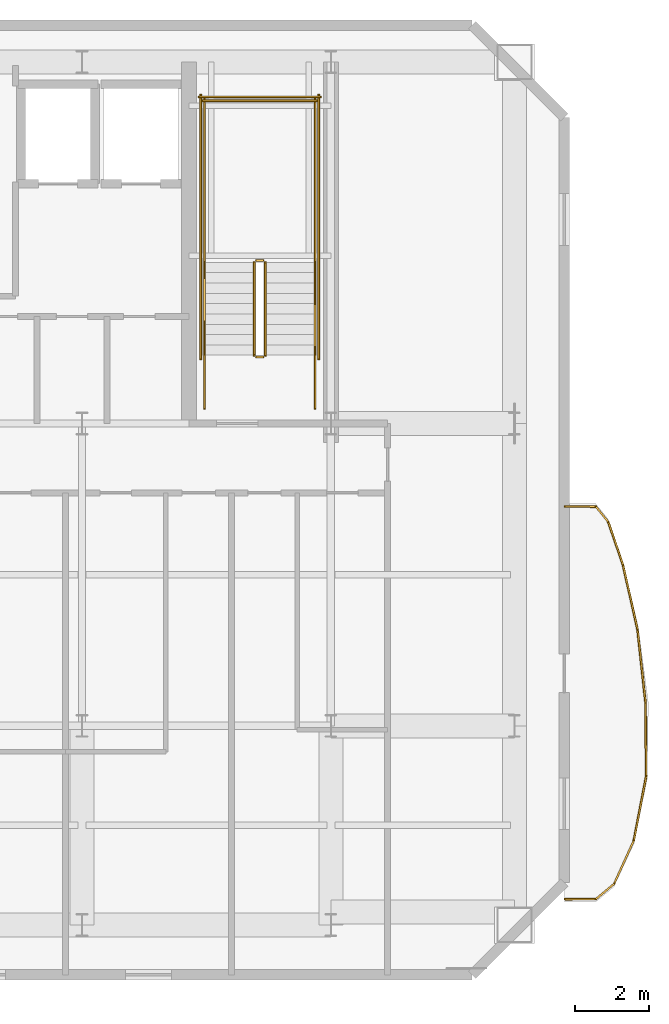
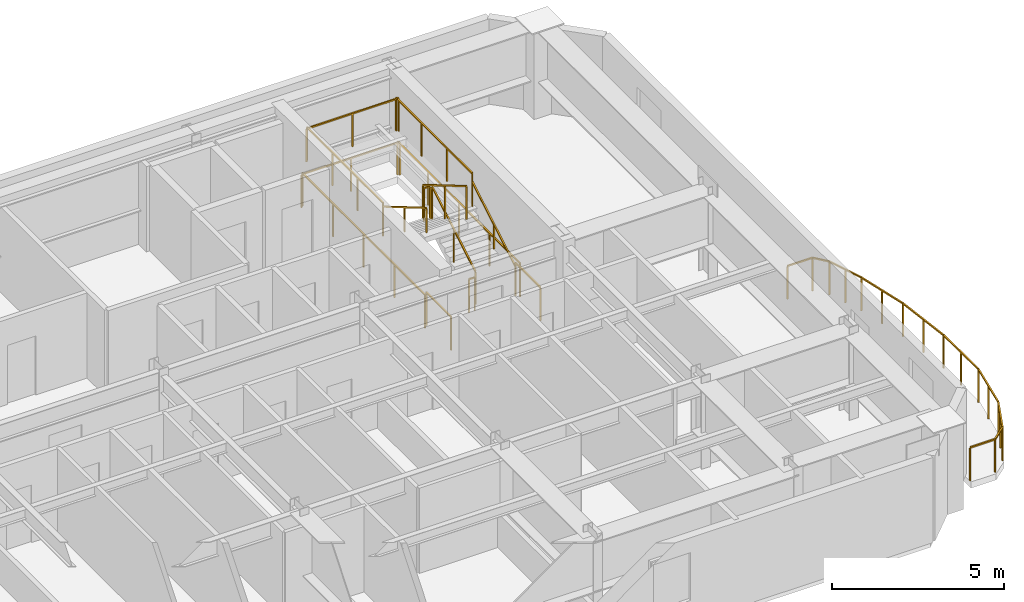
# One storey, part 6 of 6: 24 railings.
"""IFC4 building model written with IfcOpenShell, lengths in metres."""

from ifc_helpers import new_model, si_unit, direction, frame, origin, origin_2d, place, context, subcontext, project, spatial, rectangle, extrude, material, type_object, element, save


model = new_model("IFC4")

# Units and contexts
model_context = context("Model", 3, precision=1e-05, world=origin(), true_north=direction((0.0, 1.0)))
body_context = subcontext(model_context, "Body", "Model", "MODEL_VIEW")
ifc_project = project(units=[si_unit("LENGTHUNIT", "METRE"), si_unit("AREAUNIT", "SQUARE_METRE"), si_unit("VOLUMEUNIT", "CUBIC_METRE"), si_unit("PLANEANGLEUNIT", "RADIAN"), si_unit("MASSUNIT", "GRAM", prefix="KILO")], contexts=[model_context])

# Site, building, storey
site_placement = place(None, origin())
site = spatial("IfcSite", under=ifc_project, at=site_placement, CompositionType="ELEMENT")
building_placement = place(site_placement, origin())
building = spatial("IfcBuilding", under=site, at=building_placement, Name="Haevon Station Towers", CompositionType="ELEMENT")
storey_placement = place(building_placement, frame((0.0, 0.0, 255.89990234375)))
storey = spatial("IfcBuildingStorey", under=building, at=storey_placement, Name="L71", CompositionType="ELEMENT", Elevation=255.89990234375)

# Railings
ifc_material = material(Name="Steel S355", Category="steel")
railing_type_1 = type_object("IfcRailingType", Name="GRD-EXT1200", PredefinedType="GUARDRAIL", material=ifc_material)
railing_1_placement = place(storey_placement, frame((57.3486328125, 25.302734375, 0.0)))
element("IfcRailing", 1, at=railing_1_placement, inside=storey, type_object=railing_type_1, Name="L71 Perimeter Guardrail 1", PredefinedType="GUARDRAIL", context=body_context, shape_type="SweptSolid", body=[
    extrude(rectangle(XDim=0.048095703125, YDim=0.048095703125, at=origin_2d()), frame((0.0, 0.0, 1.17578125), z_axis=(0.999997283225, 0.002330995998, 0.0), x_axis=(-0.002330995998, 0.999997283225, 0.0)), (0.0, 0.0, 1.0), 0.837890625),
    extrude(rectangle(XDim=0.0419921875, YDim=0.0419921875, at=origin_2d()), origin(), (0.0, 0.0, 1.0), 1.15185546875),
    extrude(rectangle(XDim=0.0419921875, YDim=0.0419921875, at=origin_2d()), frame((0.837890625, 0.001953125, 0.0)), (0.0, 0.0, 1.0), 1.15185546875),
])
railing_2_placement = place(storey_placement, frame((58.1865234375, 25.3046875, 0.0)))
element("IfcRailing", 2, at=railing_2_placement, inside=storey, type_object=railing_type_1, Name="L71 Perimeter Guardrail 2", PredefinedType="GUARDRAIL", context=body_context, shape_type="SweptSolid", body=[
    extrude(rectangle(XDim=0.048095703125, YDim=0.048095703125, at=origin_2d()), frame((0.0, 0.0, 1.17578125), z_axis=(0.766342909973, 0.642431742938, 0.0), x_axis=(-0.642431742938, 0.766342909973, 0.0)), (0.0, 0.0, 1.0), 0.640380859375),
    extrude(rectangle(XDim=0.0419921875, YDim=0.0419921875, at=origin_2d()), origin(), (0.0, 0.0, 1.0), 1.15185546875),
    extrude(rectangle(XDim=0.0419921875, YDim=0.0419921875, at=origin_2d()), frame((0.49072265625, 0.411376953125, 0.0)), (0.0, 0.0, 1.0), 1.15185546875),
])
railing_3_placement = place(storey_placement, frame((58.67724609375, 25.716064453125, 0.0)))
element("IfcRailing", 3, at=railing_3_placement, inside=storey, type_object=railing_type_1, Name="L71 Perimeter Guardrail 3", PredefinedType="GUARDRAIL", context=body_context, shape_type="SweptSolid", body=[
    extrude(rectangle(XDim=0.048095703125, YDim=0.048095703125, at=origin_2d()), frame((0.0, 0.0, 1.17578125), z_axis=(0.41447546993, 0.910060484158, 0.0), x_axis=(-0.910060484158, 0.41447546993, 0.0)), (0.0, 0.0, 1.0), 1.28515625),
    extrude(rectangle(XDim=0.0419921875, YDim=0.0419921875, at=origin_2d()), origin(), (0.0, 0.0, 1.0), 1.15185546875),
    extrude(rectangle(XDim=0.0419921875, YDim=0.0419921875, at=origin_2d()), frame((0.266357421875, 0.5849609375, 0.0)), (0.0, 0.0, 1.0), 1.15185546875),
    extrude(rectangle(XDim=0.0419921875, YDim=0.0419921875, at=origin_2d()), frame((0.53271484375, 1.169677734375, 0.0)), (0.0, 0.0, 1.0), 1.15185546875),
])
railing_4_placement = place(storey_placement, frame((59.2099609375, 26.8857421875, 0.0)))
element("IfcRailing", 4, at=railing_4_placement, inside=storey, type_object=railing_type_1, Name="L71 Perimeter Guardrail 4", PredefinedType="GUARDRAIL", context=body_context, shape_type="SweptSolid", body=[
    extrude(rectangle(XDim=0.048095703125, YDim=0.048095703125, at=origin_2d()), frame((0.0, 0.0, 1.17578125), z_axis=(0.189270206795, 0.981925042363, 0.0), x_axis=(-0.981925042363, 0.189270206795, 0.0)), (0.0, 0.0, 1.0), 1.777587890625),
    extrude(rectangle(XDim=0.0419921875, YDim=0.0419921875, at=origin_2d()), origin(), (0.0, 0.0, 1.0), 1.15185546875),
    extrude(rectangle(XDim=0.0419921875, YDim=0.0419921875, at=origin_2d()), frame((0.168212890625, 0.87255859375, 0.0)), (0.0, 0.0, 1.0), 1.15185546875),
    extrude(rectangle(XDim=0.0419921875, YDim=0.0419921875, at=origin_2d()), frame((0.33642578125, 1.745361328125, 0.0)), (0.0, 0.0, 1.0), 1.15185546875),
])
railing_5_placement = place(storey_placement, frame((59.54638671875, 28.631103515625, 0.0)))
element("IfcRailing", 5, at=railing_5_placement, inside=storey, type_object=railing_type_1, Name="L71 Perimeter Guardrail 5", PredefinedType="GUARDRAIL", context=body_context, shape_type="SweptSolid", body=[
    extrude(rectangle(XDim=0.048095703125, YDim=0.048095703125, at=origin_2d()), frame((0.0, 0.0, 1.17578125), z_axis=(-0.008448333236, 0.999964312196, 0.0), x_axis=(-0.999964312196, -0.008448333236, 0.0)), (0.0, 0.0, 1.0), 1.993896484375),
    extrude(rectangle(XDim=0.0419921875, YDim=0.0419921875, at=origin_2d()), origin(), (0.0, 0.0, 1.0), 1.15185546875),
    extrude(rectangle(XDim=0.0419921875, YDim=0.0419921875, at=origin_2d()), frame((-0.00830078125, 0.9970703125, 0.0)), (0.0, 0.0, 1.0), 1.15185546875),
    extrude(rectangle(XDim=0.0419921875, YDim=0.0419921875, at=origin_2d()), frame((-0.016845703125, 1.993896484375, 0.0)), (0.0, 0.0, 1.0), 1.15185546875),
])
railing_6_placement = place(storey_placement, frame((59.529541015625, 30.625, 0.0)))
element("IfcRailing", 6, at=railing_6_placement, inside=storey, type_object=railing_type_1, Name="L71 Perimeter Guardrail 6", PredefinedType="GUARDRAIL", context=body_context, shape_type="SweptSolid", body=[
    extrude(rectangle(XDim=0.048095703125, YDim=0.048095703125, at=origin_2d()), frame((0.0, 0.0, 1.17578125), z_axis=(-0.108973140027, 0.994044694545, 0.0), x_axis=(-0.994044694545, -0.108973140027, 0.0)), (0.0, 0.0, 1.0), 2.0029296875),
    extrude(rectangle(XDim=0.0419921875, YDim=0.0419921875, at=origin_2d()), origin(), (0.0, 0.0, 1.0), 1.15185546875),
    extrude(rectangle(XDim=0.0419921875, YDim=0.0419921875, at=origin_2d()), frame((-0.109130859375, 0.99560546875, 0.0)), (0.0, 0.0, 1.0), 1.15185546875),
    extrude(rectangle(XDim=0.0419921875, YDim=0.0419921875, at=origin_2d()), frame((-0.21826171875, 1.990966796875, 0.0)), (0.0, 0.0, 1.0), 1.15185546875),
])
railing_7_placement = place(storey_placement, frame((59.311279296875, 32.615966796875, 0.0)))
element("IfcRailing", 7, at=railing_7_placement, inside=storey, type_object=railing_type_1, Name="L71 Perimeter Guardrail 7", PredefinedType="GUARDRAIL", context=body_context, shape_type="SweptSolid", body=[
    extrude(rectangle(XDim=0.048095703125, YDim=0.048095703125, at=origin_2d()), frame((0.0, 0.0, 1.17578125), z_axis=(-0.219570571944, 0.975596619478, 0.0), x_axis=(-0.975596619478, -0.219570571944, 0.0)), (0.0, 0.0, 1.0), 1.791259765625),
    extrude(rectangle(XDim=0.0419921875, YDim=0.0419921875, at=origin_2d()), origin(), (0.0, 0.0, 1.0), 1.15185546875),
    extrude(rectangle(XDim=0.0419921875, YDim=0.0419921875, at=origin_2d()), frame((-0.19677734375, 0.873779296875, 0.0)), (0.0, 0.0, 1.0), 1.15185546875),
    extrude(rectangle(XDim=0.0419921875, YDim=0.0419921875, at=origin_2d()), frame((-0.393310546875, 1.74755859375, 0.0)), (0.0, 0.0, 1.0), 1.15185546875),
])
railing_8_placement = place(storey_placement, frame((58.91796875, 34.363525390625, 0.0)))
element("IfcRailing", 8, at=railing_8_placement, inside=storey, type_object=railing_type_1, Name="L71 Perimeter Guardrail 8", PredefinedType="GUARDRAIL", context=body_context, shape_type="SweptSolid", body=[
    extrude(rectangle(XDim=0.048095703125, YDim=0.048095703125, at=origin_2d()), frame((0.0, 0.0, 1.17578125), z_axis=(-0.324031686844, 0.946046228216, 0.0), x_axis=(-0.946046228216, -0.324031686844, 0.0)), (0.0, 0.0, 1.0), 1.237060546875),
    extrude(rectangle(XDim=0.0419921875, YDim=0.0419921875, at=origin_2d()), origin(), (0.0, 0.0, 1.0), 1.15185546875),
    extrude(rectangle(XDim=0.0419921875, YDim=0.0419921875, at=origin_2d()), frame((-0.200439453125, 0.585205078125, 0.0)), (0.0, 0.0, 1.0), 1.15185546875),
    extrude(rectangle(XDim=0.0419921875, YDim=0.0419921875, at=origin_2d()), frame((-0.40087890625, 1.17041015625, 0.0)), (0.0, 0.0, 1.0), 1.15185546875),
])
railing_9_placement = place(storey_placement, frame((58.51708984375, 35.533935546875, 0.0)))
element("IfcRailing", 9, at=railing_9_placement, inside=storey, type_object=railing_type_1, Name="L71 Perimeter Guardrail 9", PredefinedType="GUARDRAIL", context=body_context, shape_type="SweptSolid", body=[
    extrude(rectangle(XDim=0.048095703125, YDim=0.048095703125, at=origin_2d()), frame((0.0, 0.0, 1.17578125), z_axis=(-0.626386088605, 0.779512968463, 0.0), x_axis=(-0.779512968463, -0.626386088605, 0.0)), (0.0, 0.0, 1.0), 0.52783203125),
    extrude(rectangle(XDim=0.0419921875, YDim=0.0419921875, at=origin_2d()), origin(), (0.0, 0.0, 1.0), 1.15185546875),
    extrude(rectangle(XDim=0.0419921875, YDim=0.0419921875, at=origin_2d()), frame((-0.33056640625, 0.411376953125, 0.0)), (0.0, 0.0, 1.0), 1.15185546875),
])
railing_10_placement = place(storey_placement, frame((58.1865234375, 35.9453125, 0.0)))
element("IfcRailing", 10, at=railing_10_placement, inside=storey, type_object=railing_type_1, Name="L71 Perimeter Guardrail 10", PredefinedType="GUARDRAIL", context=body_context, shape_type="SweptSolid", body=[
    extrude(rectangle(XDim=0.048095703125, YDim=0.048095703125, at=origin_2d()), frame((0.0, 0.0, 1.17578125), z_axis=(-0.999997283225, 0.002330995998, 0.0), x_axis=(-0.002330995998, -0.999997283225, 0.0)), (0.0, 0.0, 1.0), 0.837890625),
    extrude(rectangle(XDim=0.0419921875, YDim=0.0419921875, at=origin_2d()), origin(), (0.0, 0.0, 1.0), 1.15185546875),
    extrude(rectangle(XDim=0.0419921875, YDim=0.0419921875, at=origin_2d()), frame((-0.837890625, 0.001953125, 0.0)), (0.0, 0.0, 1.0), 1.15185546875),
])
railing_type_2 = type_object("IfcRailingType", Name="GRD-STR1200", PredefinedType="GUARDRAIL", material=ifc_material)
railing_11_placement = place(storey_placement, frame((49.219970703125, 40.050048828125, 0.1650390625)))
element("IfcRailing", 11, at=railing_11_placement, inside=storey, type_object=railing_type_2, Name="L71 ST2 Stair Guard 1", PredefinedType="GUARDRAIL", context=body_context, shape_type="SweptSolid", body=[
    extrude(rectangle(XDim=0.048095703125, YDim=0.048095703125, at=origin_2d()), frame((0.0, 0.0, 1.17578125), z_axis=(0.0, 0.86152411907, 0.507716645641), x_axis=(-1.0, 0.0, 0.0)), (0.0, 0.0, 1.0), 2.925048828125),
    extrude(rectangle(XDim=0.0419921875, YDim=0.0419921875, at=origin_2d()), origin(), (0.0, 0.0, 1.0), 1.15185546875),
    extrude(rectangle(XDim=0.0419921875, YDim=0.0419921875, at=origin_2d()), frame((0.0, 1.260009765625, 0.74267578125)), (0.0, 0.0, 1.0), 1.15185546875),
    extrude(rectangle(XDim=0.0419921875, YDim=0.0419921875, at=origin_2d()), frame((0.0, 2.52001953125, 1.485107421875)), (0.0, 0.0, 1.0), 1.15185546875),
])
railing_12_placement = place(storey_placement, frame((49.169921875, 42.6201171875, 1.650146484375)))
element("IfcRailing", 12, at=railing_12_placement, inside=storey, type_object=railing_type_2, Name="L71 ST2 Stair Guard 2", PredefinedType="GUARDRAIL", context=body_context, shape_type="SweptSolid", body=[
    extrude(rectangle(XDim=0.048095703125, YDim=0.048095703125, at=origin_2d()), frame((0.0, 0.0, 1.17578125), z_axis=(-1.0, 0.0, 0.0), x_axis=(0.0, -1.0, 0.0)), (0.0, 0.0, 1.0), 0.199951171875),
    extrude(rectangle(XDim=0.0419921875, YDim=0.0419921875, at=origin_2d()), origin(), (0.0, 0.0, 1.0), 1.15185546875),
    extrude(rectangle(XDim=0.0419921875, YDim=0.0419921875, at=origin_2d()), frame((-0.199951171875, 0.0, 0.0)), (0.0, 0.0, 1.0), 1.15185546875),
])
for number, where, name in (
    (13, (50.570068359375, 42.570068359375, 1.650146484375), "L71 ST2 Stair Guard 3"),
    (14, (47.570068359375, 42.570068359375, 1.650146484375), "L71 ST2 Stair Guard 4"),
):
    element("IfcRailing", number, at=place(storey_placement, frame(where)), inside=storey, type_object=railing_type_2, Name=name, PredefinedType="GUARDRAIL", context=body_context, shape_type="SweptSolid", body=[
        extrude(rectangle(XDim=0.048095703125, YDim=0.048095703125, at=origin_2d()), frame((0.0, 0.0, 1.17578125), z_axis=(0.0, 1.0, 0.0), x_axis=(-1.0, 0.0, 0.0)), (0.0, 0.0, 1.0), 4.429931640625),
        extrude(rectangle(XDim=0.0419921875, YDim=0.0419921875, at=origin_2d()), origin(), (0.0, 0.0, 1.0), 1.15185546875),
        extrude(rectangle(XDim=0.0419921875, YDim=0.0419921875, at=origin_2d()), frame((0.0, 1.4765625, 0.0)), (0.0, 0.0, 1.0), 1.15185546875),
        extrude(rectangle(XDim=0.0419921875, YDim=0.0419921875, at=origin_2d()), frame((0.0, 2.953369140625, 0.0)), (0.0, 0.0, 1.0), 1.15185546875),
        extrude(rectangle(XDim=0.0419921875, YDim=0.0419921875, at=origin_2d()), frame((0.0, 4.429931640625, 0.0)), (0.0, 0.0, 1.0), 1.15185546875),
    ])
railing_13_placement = place(storey_placement, frame((50.6201171875, 46.949951171875, 1.650146484375)))
element("IfcRailing", 15, at=railing_13_placement, inside=storey, type_object=railing_type_2, Name="L71 ST2 Stair Guard 5", PredefinedType="GUARDRAIL", context=body_context, shape_type="SweptSolid", body=[
    extrude(rectangle(XDim=0.048095703125, YDim=0.048095703125, at=origin_2d()), frame((0.0, 0.0, 1.17578125), z_axis=(-1.0, 0.0, 0.0), x_axis=(0.0, -1.0, 0.0)), (0.0, 0.0, 1.0), 3.10009765625),
    extrude(rectangle(XDim=0.0419921875, YDim=0.0419921875, at=origin_2d()), origin(), (0.0, 0.0, 1.0), 1.15185546875),
    extrude(rectangle(XDim=0.0419921875, YDim=0.0419921875, at=origin_2d()), frame((-1.550048828125, 0.0, 0.0)), (0.0, 0.0, 1.0), 1.15185546875),
    extrude(rectangle(XDim=0.0419921875, YDim=0.0419921875, at=origin_2d()), frame((-3.10009765625, 0.0, 0.0)), (0.0, 0.0, 1.0), 1.15185546875),
])
railing_14_placement = place(storey_placement, frame((48.919921875, 42.570068359375, 1.815185546875)))
element("IfcRailing", 16, at=railing_14_placement, inside=storey, type_object=railing_type_2, Name="L71 ST2 Stair Guard 6", PredefinedType="GUARDRAIL", context=body_context, shape_type="SweptSolid", body=[
    extrude(rectangle(XDim=0.048095703125, YDim=0.048095703125, at=origin_2d()), frame((0.0, 0.0, 1.17578125), z_axis=(0.0, -0.861560626758, 0.507654692109), x_axis=(1.0, 0.0, 0.0)), (0.0, 0.0, 1.0), 2.925048828125),
    extrude(rectangle(XDim=0.0419921875, YDim=0.0419921875, at=origin_2d()), origin(), (0.0, 0.0, 1.0), 1.15185546875),
    extrude(rectangle(XDim=0.0419921875, YDim=0.0419921875, at=origin_2d()), frame((0.0, -1.260009765625, 0.742431640625)), (0.0, 0.0, 1.0), 1.15185546875),
    extrude(rectangle(XDim=0.0419921875, YDim=0.0419921875, at=origin_2d()), frame((0.0, -2.52001953125, 1.48486328125)), (0.0, 0.0, 1.0), 1.15185546875),
])
railing_15_placement = place(storey_placement, frame((49.169921875, 40.0, 0.0)))
element("IfcRailing", 17, at=railing_15_placement, inside=storey, type_object=railing_type_2, Name="L71 ST2 Stair Guard 7", PredefinedType="GUARDRAIL", context=body_context, shape_type="SweptSolid", body=[
    extrude(rectangle(XDim=0.048095703125, YDim=0.048095703125, at=origin_2d()), frame((0.0, 0.0, 1.17578125), z_axis=(-1.0, 0.0, 0.0), x_axis=(0.0, -1.0, 0.0)), (0.0, 0.0, 1.0), 0.199951171875),
    extrude(rectangle(XDim=0.0419921875, YDim=0.0419921875, at=origin_2d()), origin(), (0.0, 0.0, 1.0), 1.15185546875),
    extrude(rectangle(XDim=0.0419921875, YDim=0.0419921875, at=origin_2d()), frame((-0.199951171875, 0.0, 0.0)), (0.0, 0.0, 1.0), 1.15185546875),
])
for number, where, name in (
    (18, (50.570068359375, 38.60009765625, 0.0), "L71 ST2 Stair Guard 8"),
    (19, (47.570068359375, 38.60009765625, 0.0), "L71 ST2 Stair Guard 9"),
):
    element("IfcRailing", number, at=place(storey_placement, frame(where)), inside=storey, type_object=railing_type_2, Name=name, PredefinedType="GUARDRAIL", context=body_context, shape_type="SweptSolid", body=[
        extrude(rectangle(XDim=0.048095703125, YDim=0.048095703125, at=origin_2d()), frame((0.0, 0.0, 1.17578125), z_axis=(0.0, 1.0, 0.0), x_axis=(-1.0, 0.0, 0.0)), (0.0, 0.0, 1.0), 1.449951171875),
        extrude(rectangle(XDim=0.0419921875, YDim=0.0419921875, at=origin_2d()), origin(), (0.0, 0.0, 1.0), 1.15185546875),
        extrude(rectangle(XDim=0.0419921875, YDim=0.0419921875, at=origin_2d()), frame((0.0, 1.449951171875, 0.0)), (0.0, 0.0, 1.0), 1.15185546875),
    ])
for number, where, name in (
    (20, (50.669921875, 39.949951171875, 0.0), "L71 ST2 Stair Guard 10"),
    (21, (47.469970703125, 39.949951171875, 0.0), "L71 ST2 Stair Guard 11"),
):
    element("IfcRailing", number, at=place(storey_placement, frame(where)), inside=storey, type_object=railing_type_2, Name=name, PredefinedType="GUARDRAIL", context=body_context, shape_type="SweptSolid", body=[
        extrude(rectangle(XDim=0.048095703125, YDim=0.048095703125, at=origin_2d()), frame((0.0, 0.0, 1.17578125), z_axis=(0.0, 1.0, 0.0), x_axis=(-1.0, 0.0, 0.0)), (0.0, 0.0, 1.0), 7.150146484375),
        extrude(rectangle(XDim=0.0419921875, YDim=0.0419921875, at=origin_2d()), origin(), (0.0, 0.0, 1.0), 1.15185546875),
        extrude(rectangle(XDim=0.0419921875, YDim=0.0419921875, at=origin_2d()), frame((0.0, 1.78759765625, 0.0)), (0.0, 0.0, 1.0), 1.15185546875),
        extrude(rectangle(XDim=0.0419921875, YDim=0.0419921875, at=origin_2d()), frame((0.0, 3.5751953125, 0.0)), (0.0, 0.0, 1.0), 1.15185546875),
        extrude(rectangle(XDim=0.0419921875, YDim=0.0419921875, at=origin_2d()), frame((0.0, 5.362548828125, 0.0)), (0.0, 0.0, 1.0), 1.15185546875),
        extrude(rectangle(XDim=0.0419921875, YDim=0.0419921875, at=origin_2d()), frame((0.0, 7.150146484375, 0.0)), (0.0, 0.0, 1.0), 1.15185546875),
    ])
railing_16_placement = place(storey_placement, frame((50.719970703125, 47.050048828125, 0.0)))
element("IfcRailing", 22, at=railing_16_placement, inside=storey, type_object=railing_type_2, Name="L71 ST2 Stair Guard 12", PredefinedType="GUARDRAIL", context=body_context, shape_type="SweptSolid", body=[
    extrude(rectangle(XDim=0.048095703125, YDim=0.048095703125, at=origin_2d()), frame((0.0, 0.0, 1.17578125), z_axis=(-1.0, 0.0, 0.0), x_axis=(0.0, -1.0, 0.0)), (0.0, 0.0, 1.0), 3.300048828125),
    extrude(rectangle(XDim=0.0419921875, YDim=0.0419921875, at=origin_2d()), origin(), (0.0, 0.0, 1.0), 1.15185546875),
    extrude(rectangle(XDim=0.0419921875, YDim=0.0419921875, at=origin_2d()), frame((-1.64990234375, 0.0, 0.0)), (0.0, 0.0, 1.0), 1.15185546875),
    extrude(rectangle(XDim=0.0419921875, YDim=0.0419921875, at=origin_2d()), frame((-3.300048828125, 0.0, 0.0)), (0.0, 0.0, 1.0), 1.15185546875),
])
railing_type_3 = type_object("IfcRailingType", Name="HND-STR900", PredefinedType="HANDRAIL", material=ifc_material)
railing_17_placement = place(storey_placement, frame((50.570068359375, 40.050048828125, 0.1650390625)))
element("IfcRailing", 23, at=railing_17_placement, inside=storey, type_object=railing_type_3, Name="L71 ST2 Stair Handrail 1", PredefinedType="HANDRAIL", context=body_context, shape_type="SweptSolid", body=[
    extrude(rectangle(XDim=0.048095703125, YDim=0.048095703125, at=origin_2d()), frame((0.0, 0.0, 0.8759765625), z_axis=(0.0, 0.86152411907, 0.507716645641), x_axis=(-1.0, 0.0, 0.0)), (0.0, 0.0, 1.0), 2.925048828125),
    extrude(rectangle(XDim=0.0419921875, YDim=0.0419921875, at=origin_2d()), origin(), (0.0, 0.0, 1.0), 0.851806640625),
    extrude(rectangle(XDim=0.0419921875, YDim=0.0419921875, at=origin_2d()), frame((0.0, 1.260009765625, 0.74267578125)), (0.0, 0.0, 1.0), 0.851806640625),
    extrude(rectangle(XDim=0.0419921875, YDim=0.0419921875, at=origin_2d()), frame((0.0, 2.52001953125, 1.485107421875)), (0.0, 0.0, 1.0), 0.851806640625),
])
railing_18_placement = place(storey_placement, frame((47.570068359375, 42.570068359375, 1.815185546875)))
element("IfcRailing", 24, at=railing_18_placement, inside=storey, type_object=railing_type_3, Name="L71 ST2 Stair Handrail 2", PredefinedType="HANDRAIL", context=body_context, shape_type="SweptSolid", body=[
    extrude(rectangle(XDim=0.048095703125, YDim=0.048095703125, at=origin_2d()), frame((0.0, 0.0, 0.8759765625), z_axis=(0.0, -0.861560626758, 0.507654692109), x_axis=(1.0, 0.0, 0.0)), (0.0, 0.0, 1.0), 2.925048828125),
    extrude(rectangle(XDim=0.0419921875, YDim=0.0419921875, at=origin_2d()), origin(), (0.0, 0.0, 1.0), 0.851806640625),
    extrude(rectangle(XDim=0.0419921875, YDim=0.0419921875, at=origin_2d()), frame((0.0, -1.260009765625, 0.742431640625)), (0.0, 0.0, 1.0), 0.851806640625),
    extrude(rectangle(XDim=0.0419921875, YDim=0.0419921875, at=origin_2d()), frame((0.0, -2.52001953125, 1.48486328125)), (0.0, 0.0, 1.0), 0.851806640625),
])

save(model, "model.ifc")
